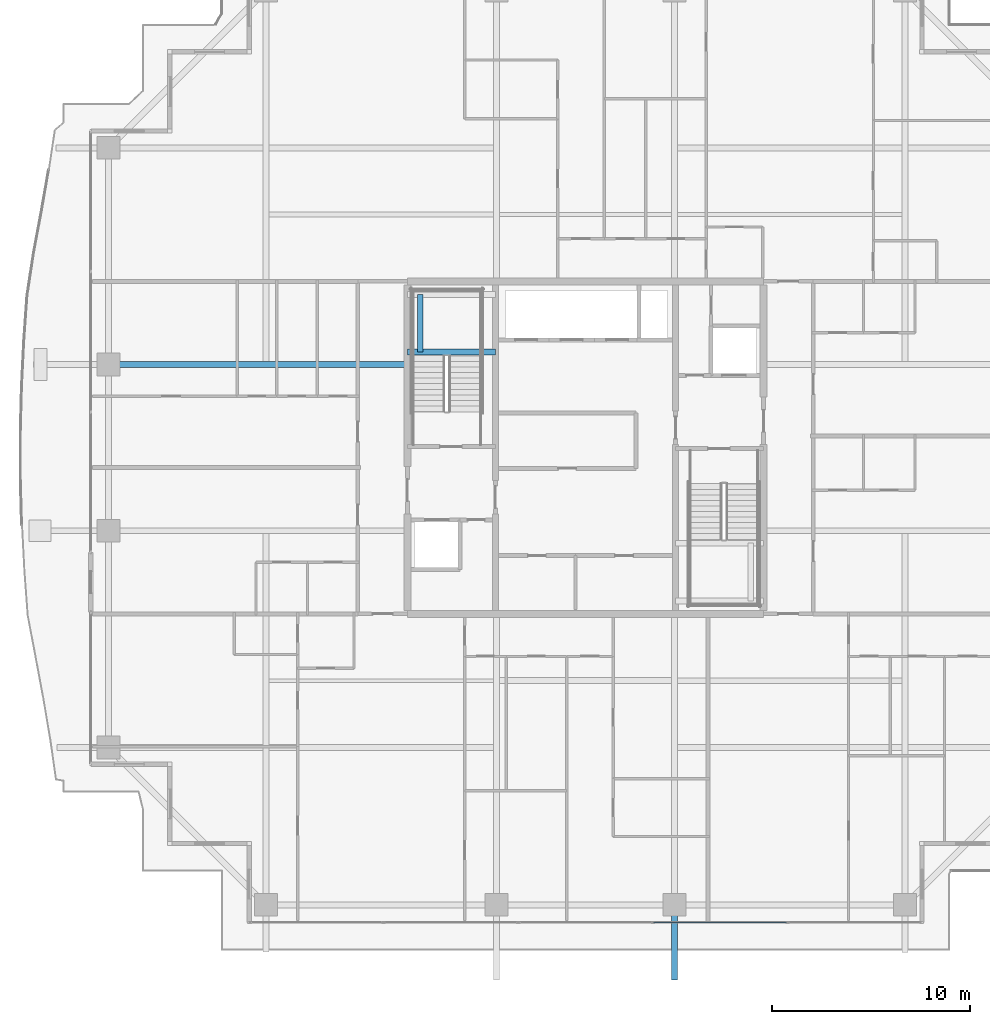
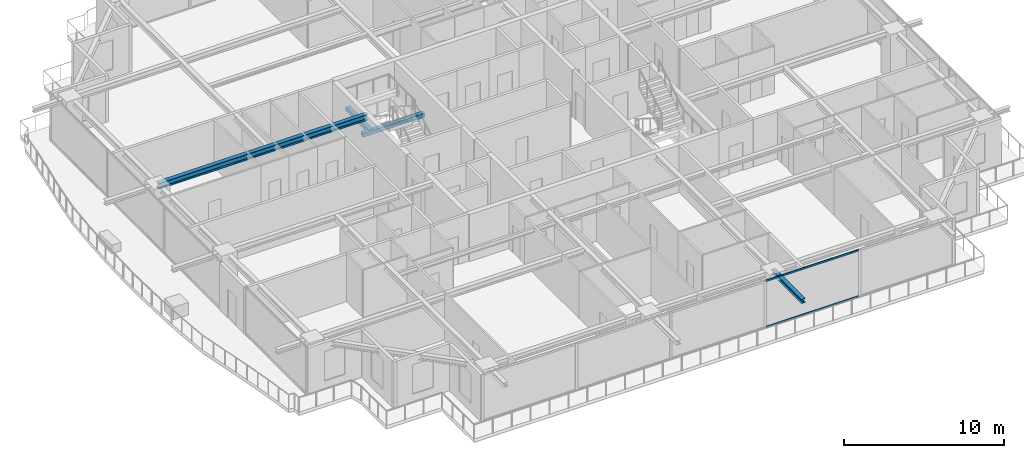
# One storey, part 11 of 38: 4 beams, 2 members, 1 element without a shape of its own.
"""IFC4 building model written with IfcOpenShell, lengths in metres."""

from ifc_helpers import new_model, si_unit, direction, frame, origin, origin_2d, place, context, subcontext, project, spatial, rectangle, hollow_rectangle, i_section, extrude, source, transform, mapped, material, layer, layer_set, material_profile, profile_set, type_object, element, aggregate, save


model = new_model("IFC4")

# Units and contexts
model_context = context("Model", 3, precision=1e-05, world=origin(), true_north=direction((0.0, 1.0)))
body_context = subcontext(model_context, "Body", "Model", "MODEL_VIEW")
ifc_project = project(units=[si_unit("LENGTHUNIT", "METRE"), si_unit("AREAUNIT", "SQUARE_METRE"), si_unit("VOLUMEUNIT", "CUBIC_METRE"), si_unit("PLANEANGLEUNIT", "RADIAN"), si_unit("MASSUNIT", "GRAM", prefix="KILO")], contexts=[model_context])

# Site, building, storey
site_placement = place(None, origin())
site = spatial("IfcSite", under=ifc_project, at=site_placement, CompositionType="ELEMENT")
building_placement = place(site_placement, origin())
building = spatial("IfcBuilding", under=site, at=building_placement, Name="Serunith Strait Residences", CompositionType="ELEMENT")
storey_placement = place(building_placement, frame((0.0, 0.0, 268.199951171875)))
storey = spatial("IfcBuildingStorey", under=building, at=storey_placement, Name="L67", CompositionType="ELEMENT", Elevation=268.199951171875)

# Beams
ifc_material_1 = material(Name="Steel S355J2", Category="steel")
ifc_material_profile_1 = material_profile(ifc_material_1, i_section(OverallWidth=0.300048828125, OverallDepth=0.449951171875, WebThickness=0.013916015625, FlangeThickness=0.02587890625, FilletRadius=0.027099609375, at=origin_2d()), Name="HEB 450")
ifc_profile_set_1 = profile_set([ifc_material_profile_1], Name="Steel S355J2")
beam_type_1 = type_object("IfcBeamType", Name="BM-HEB450", PredefinedType="BEAM", material=ifc_profile_set_1)
shared_shape_1 = source(origin(), body_context, "Body", "SweptSolid", [
    extrude(i_section(OverallWidth=0.300048828125, OverallDepth=0.449951171875, WebThickness=0.013916015625, FlangeThickness=0.02587890625, FilletRadius=0.027099609375, at=origin_2d()), origin(), (0.0, 0.0, 1.0), 15.099853515625),
])
beam_1_placement = place(storey_placement, frame((23.39990234375, 29.39990234375, 3.362060546875), z_axis=(-1.0, 0.0, 0.0), x_axis=(0.0, -1.0, 0.0)))
element("IfcBeam", 1, at=beam_1_placement, inside=storey, type_object=beam_type_1, Name="L67 Primary Floor Girder TC-W3", PredefinedType="BEAM", context=body_context, shape_type="MappedRepresentation", body=[
    mapped(shared_shape_1, transform((0.0, 0.0, 0.0), scale=1.0)),
])
ifc_material_profile_2 = material_profile(ifc_material_1, i_section(OverallWidth=0.300048828125, OverallDepth=0.320068359375, WebThickness=0.011474609375, FlangeThickness=0.0205078125, FilletRadius=0.027099609375, at=origin_2d()), Name="HEB 320")
ifc_profile_set_2 = profile_set([ifc_material_profile_2], Name="Steel S355J2")
beam_type_2 = type_object("IfcBeamType", Name="BM-HEB320", PredefinedType="BEAM", material=ifc_profile_set_2)
shared_shape_2 = source(origin(), body_context, "Body", "SweptSolid", [
    extrude(i_section(OverallWidth=0.300048828125, OverallDepth=0.320068359375, WebThickness=0.011474609375, FlangeThickness=0.0205078125, FilletRadius=0.027099609375, at=origin_2d()), origin(), (0.0, 0.0, 1.0), 3.800048828125),
])
beam_2_placement = place(storey_placement, frame((36.89990234375, 2.10009765625, 3.39697265625), z_axis=(0.0, -1.0, 0.0), x_axis=(1.0, 0.0, 0.0)))
element("IfcBeam", 2, at=beam_2_placement, inside=storey, type_object=beam_type_2, Name="L68 Cantilevered Balcony Rib TC-S3", PredefinedType="BEAM", context=body_context, shape_type="MappedRepresentation", body=[
    mapped(shared_shape_2, transform((0.0, 0.0, 0.0), scale=1.0)),
])
ifc_material_2 = material(Name="Concrete C60/75", Category="concrete")
ifc_material_profile_3 = material_profile(ifc_material_2, rectangle(XDim=0.300048828125, YDim=0.300048828125, at=origin_2d()), Name="RC 300x300")
ifc_profile_set_3 = profile_set([ifc_material_profile_3], Name="Concrete C60/75")
beam_type_3 = type_object("IfcBeamType", Name="BM-LAND-300x300", PredefinedType="BEAM", material=ifc_profile_set_3)
shared_shape_3 = source(origin(), body_context, "Body", "SweptSolid", [
    extrude(rectangle(XDim=0.300048828125, YDim=0.300048828125, at=origin_2d()), origin(), (0.0, 0.0, 1.0), 4.4501953125),
])
beam_3_placement = place(storey_placement, frame((23.39990234375, 30.030029296875, 1.574951171875), z_axis=(1.0, 0.0, 0.0), x_axis=(0.0, 1.0, 0.0)))
element("IfcBeam", 3, at=beam_3_placement, inside=storey, type_object=beam_type_3, Name="L67 ST-1 Landing Support Beam 1", PredefinedType="BEAM", context=body_context, shape_type="MappedRepresentation", body=[
    mapped(shared_shape_3, transform((0.0, 0.0, 0.0), scale=1.0)),
])
shared_shape_4 = source(origin(), body_context, "Body", "SweptSolid", [
    extrude(rectangle(XDim=0.300048828125, YDim=0.300048828125, at=origin_2d()), origin(), (0.0, 0.0, 1.0), 2.919921875),
])
beam_4_placement = place(storey_placement, frame((24.050048828125, 30.030029296875, 1.574951171875), z_axis=(0.0, 1.0, 0.0), x_axis=(-1.0, 0.0, 0.0)))
element("IfcBeam", 4, at=beam_4_placement, inside=storey, type_object=beam_type_3, Name="L67 ST-1 Landing Transverse Tie Beam", PredefinedType="BEAM", context=body_context, shape_type="MappedRepresentation", body=[
    mapped(shared_shape_4, transform((0.0, 0.0, 0.0), scale=1.0)),
])

# Curtain wall, members
ifc_material_3 = material(Name="Pale-Champagne Anodised Aluminium", Category="aluminium")
ifc_layer = layer(ifc_material_3, 0.199951171875, Name="Pale-Champagne Anodised Aluminium")
ifc_layer_set = layer_set([ifc_layer], Name="Pale-Champagne Anodised Aluminium")
curtain_wall_type = type_object("IfcCurtainWallType", Name="CW-SYS4", PredefinedType="NOTDEFINED", material=ifc_layer_set)
curtain_wall_placement = place(storey_placement, origin())
curtain_wall = element("IfcCurtainWall", 5, at=curtain_wall_placement, inside=storey, type_object=curtain_wall_type, Name="L67 S Unitised Fritted Curtain Wall", PredefinedType="NOTDEFINED")
ifc_material_profile_4 = material_profile(ifc_material_3, hollow_rectangle(XDim=0.06005859375, YDim=0.139892578125, WallThickness=0.00341796875, InnerFilletRadius=0.00537109375, OuterFilletRadius=0.0087890625, at=origin_2d()), Name="ALU 140x60x3.5")
ifc_profile_set_4 = profile_set([ifc_material_profile_4], Name="Pale-Champagne Anodised Aluminium")
member_type = type_object("IfcMemberType", Name="CW-SYS4-TRAN", PredefinedType="USERDEFINED", material=ifc_profile_set_4)
shared_shape_5 = source(origin(), body_context, "Body", "SweptSolid", [
    extrude(hollow_rectangle(XDim=0.06005859375, YDim=0.139892578125, WallThickness=0.00341796875, InnerFilletRadius=0.00537109375, OuterFilletRadius=0.0087890625, at=origin_2d()), origin(), (0.0, 0.0, 1.0), 6.73486328125),
])
member_1_placement = place(storey_placement, frame((35.83251953125, 1.199951171875, 0.030029296875), z_axis=(1.0, 0.0, 0.0), x_axis=(0.0, 1.0, 0.0)))
member_1 = element("IfcMember", 6, at=member_1_placement, type_object=member_type, Name="CW-4 transom 4.1", ObjectType="TRANSOM", PredefinedType="USERDEFINED", context=body_context, shape_type="MappedRepresentation", body=[
    mapped(shared_shape_5, transform((0.0, 0.0, 0.0), scale=1.0)),
])
member_2_placement = place(storey_placement, frame((35.83251953125, 1.199951171875, 3.545166015625), z_axis=(1.0, 0.0, 0.0), x_axis=(0.0, 1.0, 0.0)))
member_2 = element("IfcMember", 7, at=member_2_placement, type_object=member_type, Name="CW-4 transom 4.2", ObjectType="TRANSOM", PredefinedType="USERDEFINED", context=body_context, shape_type="MappedRepresentation", body=[
    mapped(shared_shape_5, transform((0.0, 0.0, 0.0), scale=1.0)),
])
aggregate(curtain_wall, [member_1, member_2])

save(model, "model.ifc")
